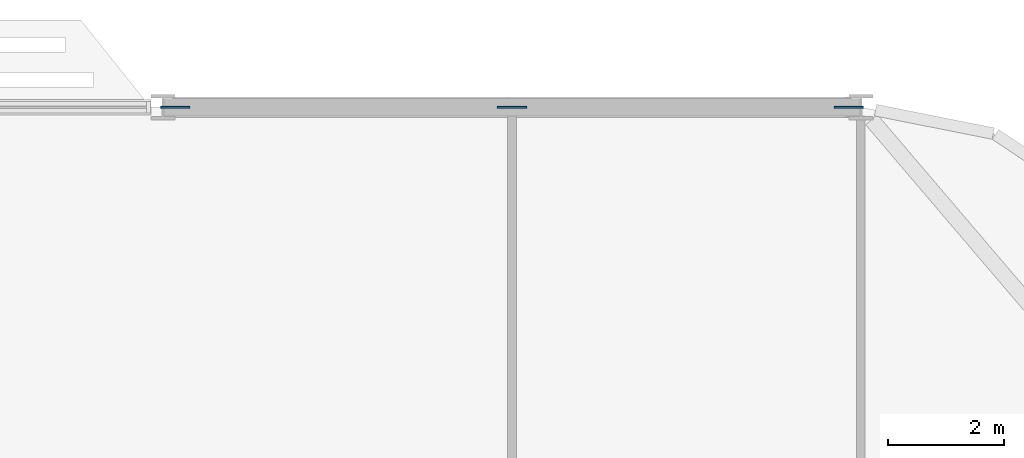
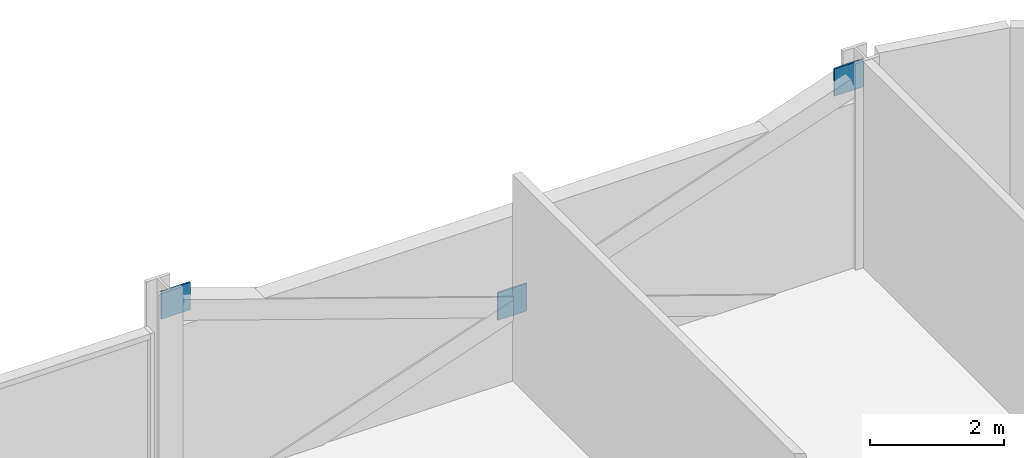
# One storey, part 24 of 29: 3 discrete accessories.
"""IFC4 building model written with IfcOpenShell, lengths in metres."""

from ifc_helpers import new_model, si_unit, direction, frame, origin, origin_2d, place, context, subcontext, project, spatial, rectangle, extrude, material, layer, layer_set, type_object, element, save


model = new_model("IFC4")

# Units and contexts
model_context = context("Model", 3, precision=1e-05, world=origin(), true_north=direction((0.0, 1.0)))
body_context = subcontext(model_context, "Body", "Model", "MODEL_VIEW")
ifc_project = project(units=[si_unit("LENGTHUNIT", "METRE"), si_unit("AREAUNIT", "SQUARE_METRE"), si_unit("VOLUMEUNIT", "CUBIC_METRE"), si_unit("PLANEANGLEUNIT", "RADIAN"), si_unit("MASSUNIT", "GRAM", prefix="KILO")], contexts=[model_context])

# Site, building, storey
site_placement = place(None, origin())
site = spatial("IfcSite", under=ifc_project, at=site_placement, CompositionType="ELEMENT")
building_placement = place(site_placement, origin())
building = spatial("IfcBuilding", under=site, at=building_placement, Name="Mahtab Terrace Research Tower", CompositionType="ELEMENT")
storey_placement = place(building_placement, frame((0.0, 0.0, 126.10009765625)))
storey = spatial("IfcBuildingStorey", under=building, at=storey_placement, Name="L29", CompositionType="ELEMENT", Elevation=126.10009765625)

# Discrete accessories
ifc_material = material(Name="Steel ASTM A992 Gr 50", Category="steel")
ifc_layer = layer(ifc_material, 0.030029296875)
ifc_layer_set = layer_set([ifc_layer], Name="Gusset plate 500x500x30")
discrete_accessory_type = type_object("IfcDiscreteAccessoryType", Name="Gusset plate 500x500x30", PredefinedType="USERDEFINED", material=ifc_layer_set)
for number, where, z_axis, x_axis, name in (
    (1, (30.205810546875, 29.0, 3.13134765625), (0.0, 0.0, 1.0), (1.0, 0.0, 0.0), "Gusset plate"),
    (2, (36.0, 29.0, 1.081298828125), (0.0, 0.0, 1.0), (1.0, 0.0, 0.0), "Gusset plate"),
    (3, (41.794189453125, 29.0, 3.13134765625), (0.0, 0.0, 1.0), (1.0, 0.0, 0.0), "Gusset plate"),
):
    element("IfcDiscreteAccessory", number, at=place(storey_placement, frame(where, z_axis=z_axis, x_axis=x_axis)), inside=storey, type_object=discrete_accessory_type, Name=name, ObjectType="GUSSET PLATE", PredefinedType="USERDEFINED", context=body_context, shape_type="SweptSolid", body=[
        extrude(rectangle(XDim=0.5, YDim=0.030029296875, at=origin_2d()), origin(), (0.0, 0.0, 1.0), 0.5),
    ])

save(model, "model.ifc")
